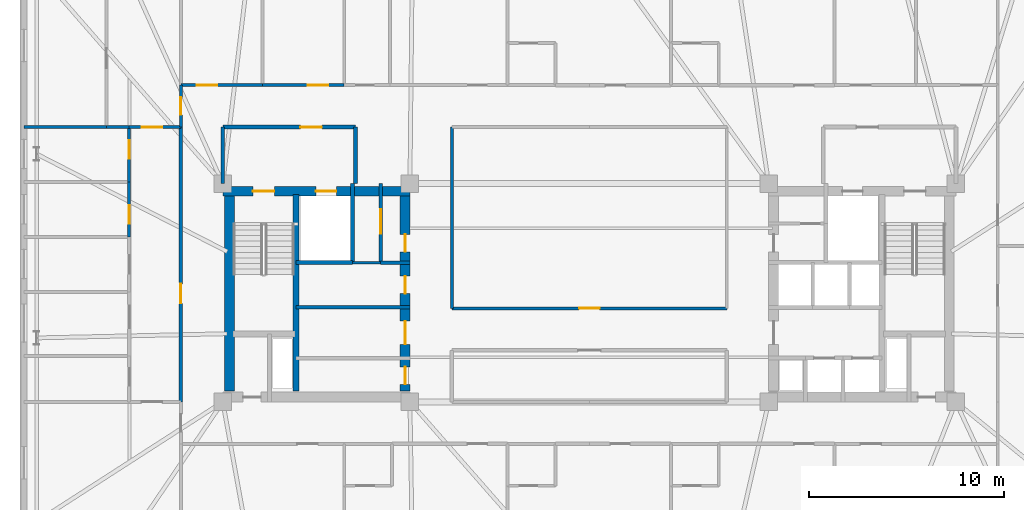
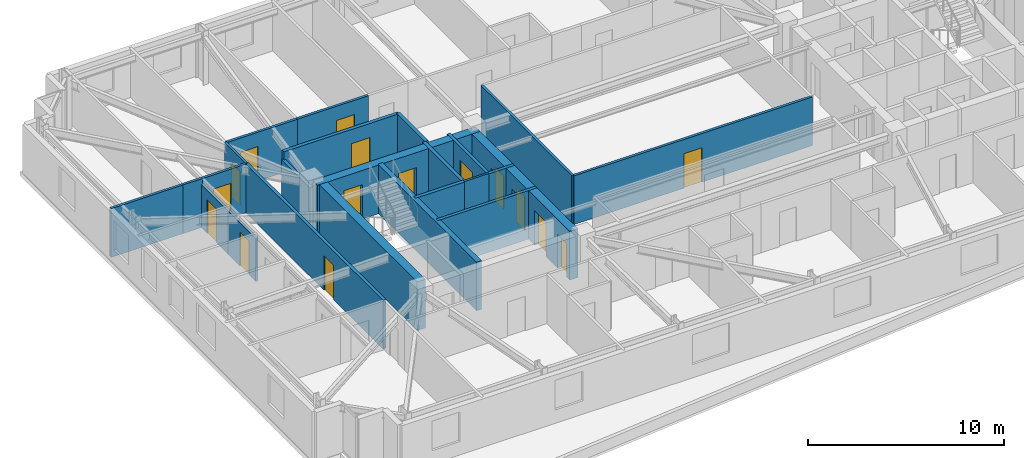
# One storey, part 12 of 19: 24 walls, 16 doors, 16 openings.
"""IFC4 building model written with IfcOpenShell, lengths in metres."""

from ifc_helpers import new_model, si_unit, direction, frame, frame_2d, origin, place, context, subcontext, project, spatial, rectangle, extrude, material, layer, layer_set, type_object, element, fill, save


model = new_model("IFC4")

# Units and contexts
model_context = context("Model", 3, precision=1e-05, world=origin(), true_north=direction((0.0, 1.0)))
body_context = subcontext(model_context, "Body", "Model", "MODEL_VIEW")
ifc_project = project(units=[si_unit("LENGTHUNIT", "METRE"), si_unit("AREAUNIT", "SQUARE_METRE"), si_unit("VOLUMEUNIT", "CUBIC_METRE"), si_unit("PLANEANGLEUNIT", "RADIAN"), si_unit("MASSUNIT", "GRAM", prefix="KILO")], contexts=[model_context])

# Site, building, storey
site_placement = place(None, origin())
site = spatial("IfcSite", under=ifc_project, at=site_placement, CompositionType="ELEMENT")
building_placement = place(site_placement, origin())
building = spatial("IfcBuilding", under=site, at=building_placement, Name="Qobustan Lattice House", CompositionType="ELEMENT")
storey_placement = place(building_placement, frame((0.0, 0.0, 131.0)))
storey = spatial("IfcBuildingStorey", under=building, at=storey_placement, Name="L36", CompositionType="ELEMENT", Elevation=131.0)

# Wall, openings, doors
ifc_material_1 = material(Name="Concrete C50/60", Category="concrete")
ifc_layer_1 = layer(ifc_material_1, 0.5)
ifc_layer_set_1 = layer_set([ifc_layer_1], Name="Concrete C50/60")
wall_type_1 = type_object("IfcWallType", Name="WAL-CORE-500", PredefinedType="SHEAR", material=ifc_layer_set_1)
wall_1_placement = place(storey_placement, frame((-18.800048828125, 5.2099609375, 0.0), z_axis=(0.0, 0.0, 1.0), x_axis=(1.0, 0.0, 0.0)))
wall_1 = element("IfcWall", 1, at=wall_1_placement, inside=storey, type_object=wall_type_1, Name="L36 split-core shear wall CW-N", PredefinedType="SHEAR", context=body_context, shape_type="SweptSolid", body=[
    extrude(rectangle(XDim=9.60009765625, YDim=0.5, at=frame_2d((4.800048828125, 0.0))), origin(), (0.0, 0.0, 1.0), 3.0400390625),
])
opening_1_placement = place(wall_1_placement, frame((1.550048828125, 0.0, 0.0)))
opening_1 = element("IfcOpeningElement", 2, at=opening_1_placement, cuts=wall_1, Name="Opening SD-01", PredefinedType="OPENING", context=body_context, shape_type="SweptSolid", body=[
    extrude(rectangle(XDim=1.10009765625, YDim=2.14990234375, at=frame_2d((0.550048828125, 1.074951171875))), frame((0.0, 0.260009765625, 0.0), z_axis=(0.0, -1.0, 0.0), x_axis=(1.0, 0.0, 0.0)), (0.0, 0.0, 1.0), 0.52001953125),
])
opening_2_placement = place(wall_1_placement, frame((4.77490234375, 0.0, 0.0)))
opening_2 = element("IfcOpeningElement", 3, at=opening_2_placement, cuts=wall_1, Name="Opening LD-01", PredefinedType="OPENING", context=body_context, shape_type="SweptSolid", body=[
    extrude(rectangle(XDim=1.050048828125, YDim=2.10009765625, at=frame_2d((0.52490234375, 1.050048828125))), frame((0.0, 0.260009765625, 0.0), z_axis=(0.0, -1.0, 0.0), x_axis=(1.0, 0.0, 0.0)), (0.0, 0.0, 1.0), 0.52001953125),
])
ifc_material_2 = material(Name="Persian walnut timber and steel frame door", Category="steel")
door_type_1 = type_object("IfcDoorType", Name="DOR-LIFT-LD-1050x2100", OperationType="NOTDEFINED", PredefinedType="DOOR", material=ifc_material_2)
door_1_placement = place(opening_2_placement, origin())
door_1 = element("IfcDoor", 4, at=door_1_placement, inside=storey, type_object=door_type_1, Name="L36 firefighting lift FF-W landing door", OperationType="DOUBLE_DOOR_SLIDING", OverallHeight=2.10009765625, OverallWidth=1.050048828125, PredefinedType="DOOR", context=body_context, shape_type="SweptSolid", body=[
    extrude(rectangle(XDim=1.050048828125, YDim=2.10009765625, at=frame_2d((0.52490234375, 1.050048828125))), frame((0.0, 0.02490234375, 0.0), z_axis=(0.0, -1.0, 0.0), x_axis=(1.0, 0.0, 0.0)), (0.0, 0.0, 1.0), 0.050048828125),
])
fill(opening_2, door_1)
ifc_material_3 = material(Name="Persian walnut timber and steel frame door", Category="steel")
door_type_2 = type_object("IfcDoorType", Name="DOR-STAIR-FD-1100x2150", OperationType="NOTDEFINED", PredefinedType="DOOR", material=ifc_material_3)
door_2_placement = place(opening_1_placement, origin())
door_2 = element("IfcDoor", 5, at=door_2_placement, inside=storey, type_object=door_type_2, Name="L36 exit stair ST-W1 fire door", OperationType="SINGLE_SWING_RIGHT", OverallHeight=2.14990234375, OverallWidth=1.10009765625, PredefinedType="DOOR", context=body_context, shape_type="SweptSolid", body=[
    extrude(rectangle(XDim=1.10009765625, YDim=2.14990234375, at=frame_2d((0.550048828125, 1.074951171875))), frame((0.0, 0.02490234375, 0.0), z_axis=(0.0, -1.0, 0.0), x_axis=(1.0, 0.0, 0.0)), (0.0, 0.0, 1.0), 0.050048828125),
])
fill(opening_1, door_2)

# Wall
wall_2_placement = place(storey_placement, frame((-18.4599609375, -5.050048828125, 0.0), z_axis=(0.0, 0.0, 1.0), x_axis=(0.0, 1.0, 0.0)))
element("IfcWall", 6, at=wall_2_placement, inside=storey, type_object=wall_type_1, Name="L36 split-core shear wall CW-W", PredefinedType="SHEAR", context=body_context, shape_type="SweptSolid", body=[
    extrude(rectangle(XDim=10.10009765625, YDim=0.5, at=frame_2d((5.050048828125, 0.0))), origin(), (0.0, 0.0, 1.0), 3.0400390625),
])

# Wall, openings, doors
wall_3_placement = place(storey_placement, frame((-9.449951171875, -5.050048828125, 0.0), z_axis=(0.0, 0.0, 1.0), x_axis=(0.0, 1.0, 0.0)))
wall_3 = element("IfcWall", 7, at=wall_3_placement, inside=storey, type_object=wall_type_1, Name="L36 split-core shear wall CW-E", PredefinedType="SHEAR", context=body_context, shape_type="SweptSolid", body=[
    extrude(rectangle(XDim=10.10009765625, YDim=0.5, at=frame_2d((5.050048828125, 0.0))), origin(), (0.0, 0.0, 1.0), 3.0400390625),
])
opening_3_placement = place(wall_3_placement, frame((7.14990234375, 0.0, 0.0)))
opening_3 = element("IfcOpeningElement", 8, at=opening_3_placement, cuts=wall_3, Name="Opening RD-01", PredefinedType="OPENING", context=body_context, shape_type="SweptSolid", body=[
    extrude(rectangle(XDim=0.89990234375, YDim=2.10009765625, at=frame_2d((0.449951171875, 1.050048828125))), frame((0.0, 0.260009765625, 0.0), z_axis=(0.0, -1.0, 0.0), x_axis=(1.0, 0.0, 0.0)), (0.0, 0.0, 1.0), 0.52001953125),
])
opening_4_placement = place(wall_3_placement, frame((2.39990234375, 0.0, 0.0)))
opening_4 = element("IfcOpeningElement", 9, at=opening_4_placement, cuts=wall_3, Name="Opening FD-01", PredefinedType="OPENING", context=body_context, shape_type="SweptSolid", body=[
    extrude(rectangle(XDim=1.199951171875, YDim=2.14990234375, at=frame_2d((0.60009765625, 1.074951171875))), frame((0.0, 0.260009765625, 0.0), z_axis=(0.0, -1.0, 0.0), x_axis=(1.0, 0.0, 0.0)), (0.0, 0.0, 1.0), 0.52001953125),
])
opening_5_placement = place(wall_3_placement, frame((0.35009765625, 0.0, 0.0)))
opening_5 = element("IfcOpeningElement", 10, at=opening_5_placement, cuts=wall_3, Name="Opening RD-01", PredefinedType="OPENING", context=body_context, shape_type="SweptSolid", body=[
    extrude(rectangle(XDim=0.89990234375, YDim=2.10009765625, at=frame_2d((0.449951171875, 1.050048828125))), frame((0.0, 0.260009765625, 0.0), z_axis=(0.0, -1.0, 0.0), x_axis=(1.0, 0.0, 0.0)), (0.0, 0.0, 1.0), 0.52001953125),
])
opening_6_placement = place(wall_3_placement, frame((5.0, 0.0, 0.0)))
opening_6 = element("IfcOpeningElement", 11, at=opening_6_placement, cuts=wall_3, Name="Opening RD-01", PredefinedType="OPENING", context=body_context, shape_type="SweptSolid", body=[
    extrude(rectangle(XDim=0.89990234375, YDim=2.10009765625, at=frame_2d((0.449951171875, 1.050048828125))), frame((0.0, 0.260009765625, 0.0), z_axis=(0.0, -1.0, 0.0), x_axis=(1.0, 0.0, 0.0)), (0.0, 0.0, 1.0), 0.52001953125),
])
ifc_material_4 = material(Name="Persian walnut timber and steel frame door", Category="steel")
door_type_3 = type_object("IfcDoorType", Name="DOR-LOBBY-FD-1200x2150", OperationType="NOTDEFINED", PredefinedType="DOOR", material=ifc_material_4)
door_3_placement = place(opening_4_placement, origin())
door_3 = element("IfcDoor", 12, at=door_3_placement, inside=storey, type_object=door_type_3, Name="L36 West core foyer fire door", OperationType="SINGLE_SWING_LEFT", OverallHeight=2.14990234375, OverallWidth=1.199951171875, PredefinedType="DOOR", context=body_context, shape_type="SweptSolid", body=[
    extrude(rectangle(XDim=1.199951171875, YDim=2.14990234375, at=frame_2d((0.60009765625, 1.074951171875))), frame((0.0, 0.02490234375, 0.0), z_axis=(0.0, -1.0, 0.0), x_axis=(1.0, 0.0, 0.0)), (0.0, 0.0, 1.0), 0.050048828125),
])
fill(opening_4, door_3)
ifc_material_5 = material(Name="Persian walnut timber and steel frame door", Category="steel")
door_type_4 = type_object("IfcDoorType", Name="DOR-RISER-FD-900x2100", OperationType="NOTDEFINED", PredefinedType="DOOR", material=ifc_material_5)
door_4_placement = place(opening_3_placement, origin())
door_4 = element("IfcDoor", 13, at=door_4_placement, inside=storey, type_object=door_type_4, Name="L36 Data comms closet fire door", OperationType="SINGLE_SWING_RIGHT", OverallHeight=2.10009765625, OverallWidth=0.89990234375, PredefinedType="DOOR", context=body_context, shape_type="SweptSolid", body=[
    extrude(rectangle(XDim=0.89990234375, YDim=2.10009765625, at=frame_2d((0.449951171875, 1.050048828125))), frame((0.0, 0.02490234375, 0.0), z_axis=(0.0, -1.0, 0.0), x_axis=(1.0, 0.0, 0.0)), (0.0, 0.0, 1.0), 0.050048828125),
])
fill(opening_3, door_4)
door_5_placement = place(opening_5_placement, origin())
door_5 = element("IfcDoor", 14, at=door_5_placement, inside=storey, type_object=door_type_4, Name="L36 Collaborative study lounge fire door", OperationType="SINGLE_SWING_RIGHT", OverallHeight=2.10009765625, OverallWidth=0.89990234375, PredefinedType="DOOR", context=body_context, shape_type="SweptSolid", body=[
    extrude(rectangle(XDim=0.89990234375, YDim=2.10009765625, at=frame_2d((0.449951171875, 1.050048828125))), frame((0.0, 0.02490234375, 0.0), z_axis=(0.0, -1.0, 0.0), x_axis=(1.0, 0.0, 0.0)), (0.0, 0.0, 1.0), 0.050048828125),
])
fill(opening_5, door_5)
door_6_placement = place(opening_6_placement, origin())
door_6 = element("IfcDoor", 15, at=door_6_placement, inside=storey, type_object=door_type_4, Name="L36 Focus booth pod fire door", OperationType="SINGLE_SWING_LEFT", OverallHeight=2.10009765625, OverallWidth=0.89990234375, PredefinedType="DOOR", context=body_context, shape_type="SweptSolid", body=[
    extrude(rectangle(XDim=0.89990234375, YDim=2.10009765625, at=frame_2d((0.449951171875, 1.050048828125))), frame((0.0, 0.02490234375, 0.0), z_axis=(0.0, -1.0, 0.0), x_axis=(1.0, 0.0, 0.0)), (0.0, 0.0, 1.0), 0.050048828125),
])
fill(opening_6, door_6)

# Wall
ifc_material_6 = material(Name="Concrete C50/60", Category="concrete")
ifc_layer_2 = layer(ifc_material_6, 0.280029296875)
ifc_layer_set_2 = layer_set([ifc_layer_2], Name="Concrete C50/60")
wall_type_2 = type_object("IfcWallType", Name="WAL-CORE-SPINE-280", PredefinedType="SHEAR", material=ifc_layer_set_2)
wall_4_placement = place(storey_placement, frame((-15.050048828125, -5.050048828125, 0.0), z_axis=(0.0, 0.0, 1.0), x_axis=(0.0, 1.0, 0.0)))
element("IfcWall", 16, at=wall_4_placement, inside=storey, type_object=wall_type_2, Name="L36 split-core shear wall CW-M", PredefinedType="SHEAR", context=body_context, shape_type="SweptSolid", body=[
    extrude(rectangle(XDim=10.10009765625, YDim=0.300048828125, at=frame_2d((5.050048828125, 0.0))), origin(), (0.0, 0.0, 1.0), 3.0400390625),
])

# Wall, opening, door
ifc_material_7 = material(Name="Gypsum fireboard acoustic partition", Category="gypsum")
ifc_layer_3 = layer(ifc_material_7, 0.179931640625)
ifc_layer_set_3 = layer_set([ifc_layer_3], Name="Gypsum fireboard acoustic partition")
wall_type_3 = type_object("IfcWallType", Name="WAL-FIRE-180", PredefinedType="PARTITIONING", material=ifc_layer_set_3)
wall_5_placement = place(storey_placement, frame((-10.699951171875, 5.60009765625, 0.0), z_axis=(0.0, 0.0, 1.0), x_axis=(0.0, -1.0, 0.0)))
wall_5 = element("IfcWall", 17, at=wall_5_placement, inside=storey, type_object=wall_type_3, Name="L36 interior partition 6", PredefinedType="PARTITIONING", context=body_context, shape_type="SweptSolid", body=[
    extrude(rectangle(XDim=4.050048828125, YDim=0.179931640625, at=frame_2d((2.02490234375, 0.0))), origin(), (0.0, 0.0, 1.0), 3.0400390625),
])
opening_7_placement = place(wall_5_placement, frame((1.324951171875, 0.0, 0.0)))
opening_7 = element("IfcOpeningElement", 18, at=opening_7_placement, cuts=wall_5, Name="Opening FD-03", PredefinedType="OPENING", context=body_context, shape_type="SweptSolid", body=[
    extrude(rectangle(XDim=1.25, YDim=2.199951171875, at=frame_2d((0.625, 1.10009765625))), frame((0.0, 0.099853515625, 0.0), z_axis=(0.0, -1.0, 0.0), x_axis=(1.0, 0.0, 0.0)), (0.0, 0.0, 1.0), 0.199951171875),
])
ifc_material_8 = material(Name="Persian walnut timber and steel frame door", Category="steel")
door_type_5 = type_object("IfcDoorType", Name="DOR-PLANT-1250x2200", OperationType="NOTDEFINED", PredefinedType="DOOR", material=ifc_material_8)
door_7_placement = place(opening_7_placement, origin())
door_7 = element("IfcDoor", 19, at=door_7_placement, inside=storey, type_object=door_type_5, Name="L36 Data comms closet to Linen store door", OperationType="SINGLE_SWING_LEFT", OverallHeight=2.199951171875, OverallWidth=1.25, PredefinedType="DOOR", context=body_context, shape_type="SweptSolid", body=[
    extrude(rectangle(XDim=1.25, YDim=2.199951171875, at=frame_2d((0.625, 1.10009765625))), frame((0.0, 0.02490234375, 0.0), z_axis=(0.0, -1.0, 0.0), x_axis=(1.0, 0.0, 0.0)), (0.0, 0.0, 1.0), 0.050048828125),
])
fill(opening_7, door_7)

# Walls
wall_6_placement = place(storey_placement, frame((-10.699951171875, 1.550048828125, 0.0), z_axis=(0.0, 0.0, 1.0), x_axis=(1.0, 0.0, 0.0)))
element("IfcWall", 20, at=wall_6_placement, inside=storey, type_object=wall_type_3, Name="L36 interior partition 7", PredefinedType="PARTITIONING", context=body_context, shape_type="SweptSolid", body=[
    extrude(rectangle(XDim=1.5, YDim=0.179931640625, at=frame_2d((0.75, 0.0))), origin(), (0.0, 0.0, 1.0), 3.0400390625),
])
wall_7_placement = place(storey_placement, frame((-9.199951171875, -0.75, 0.0), z_axis=(0.0, 0.0, 1.0), x_axis=(-1.0, 0.0, 0.0)))
element("IfcWall", 21, at=wall_7_placement, inside=storey, type_object=wall_type_3, Name="L36 interior partition 11", PredefinedType="PARTITIONING", context=body_context, shape_type="SweptSolid", body=[
    extrude(rectangle(XDim=5.85009765625, YDim=0.179931640625, at=frame_2d((2.925048828125, 0.0))), origin(), (0.0, 0.0, 1.0), 3.0400390625),
])

# Wall, opening, door
wall_8_placement = place(storey_placement, frame((-20.949951171875, -5.60009765625, 0.0), z_axis=(0.0, 0.0, 1.0), x_axis=(0.0, 1.0, 0.0)))
wall_8 = element("IfcWall", 22, at=wall_8_placement, inside=storey, type_object=wall_type_3, Name="L36 interior partition 62", PredefinedType="PARTITIONING", context=body_context, shape_type="SweptSolid", body=[
    extrude(rectangle(XDim=14.10009765625, YDim=0.179931640625, at=frame_2d((7.050048828125, 0.0))), origin(), (0.0, 0.0, 1.0), 3.0400390625),
])
opening_8_placement = place(wall_8_placement, frame((5.0576171875, 0.0, 0.0)))
opening_8 = element("IfcOpeningElement", 23, at=opening_8_placement, cuts=wall_8, Name="Opening FD-02", PredefinedType="OPENING", context=body_context, shape_type="SweptSolid", body=[
    extrude(rectangle(XDim=1.0, YDim=2.14990234375, at=frame_2d((0.5, 1.074951171875))), frame((0.0, 0.099853515625, 0.0), z_axis=(0.0, -1.0, 0.0), x_axis=(1.0, 0.0, 0.0)), (0.0, 0.0, 1.0), 0.199951171875),
])
ifc_material_9 = material(Name="Persian walnut timber and steel frame door", Category="steel")
door_type_6 = type_object("IfcDoorType", Name="DOR-UNIT-FD-1000x2150", OperationType="NOTDEFINED", PredefinedType="DOOR", material=ifc_material_9)
door_8_placement = place(opening_8_placement, origin())
door_8 = element("IfcDoor", 24, at=door_8_placement, inside=storey, type_object=door_type_6, Name="L36 West wing spine gallery to Residence entrance hall L36W door", OperationType="SINGLE_SWING_LEFT", OverallHeight=2.14990234375, OverallWidth=1.0, PredefinedType="DOOR", context=body_context, shape_type="SweptSolid", body=[
    extrude(rectangle(XDim=1.0, YDim=2.14990234375, at=frame_2d((0.5, 1.074951171875))), frame((0.0, 0.02490234375, 0.0), z_axis=(0.0, -1.0, 0.0), x_axis=(1.0, 0.0, 0.0)), (0.0, 0.0, 1.0), 0.050048828125),
])
fill(opening_8, door_8)

# Wall
ifc_material_10 = material(Name="Lightweight acoustic stud partition", Category="gypsum")
ifc_layer_4 = layer(ifc_material_10, 0.125)
ifc_layer_set_4 = layer_set([ifc_layer_4], Name="Lightweight acoustic stud partition")
wall_type_4 = type_object("IfcWallType", Name="WAL-PART-125", PredefinedType="PARTITIONING", material=ifc_layer_set_4)
wall_9_placement = place(storey_placement, frame((-12.14990234375, 1.550048828125, 0.0), z_axis=(0.0, 0.0, 1.0), x_axis=(1.0, 0.0, 0.0)))
element("IfcWall", 25, at=wall_9_placement, inside=storey, type_object=wall_type_4, Name="L36 interior partition 9", PredefinedType="PARTITIONING", context=body_context, shape_type="SweptSolid", body=[
    extrude(rectangle(XDim=1.449951171875, YDim=0.125, at=frame_2d((0.72509765625, 0.0))), origin(), (0.0, 0.0, 1.0), 3.0400390625),
])

# Wall, opening, door
ifc_material_11 = material(Name="Acoustic twin-stud gypsum partition", Category="gypsum")
ifc_layer_5 = layer(ifc_material_11, 0.14990234375)
ifc_layer_set_5 = layer_set([ifc_layer_5], Name="Acoustic twin-stud gypsum partition")
wall_type_5 = type_object("IfcWallType", Name="WAL-PART-150", PredefinedType="PARTITIONING", material=ifc_layer_set_5)
wall_10_placement = place(storey_placement, frame((-20.949951171875, 8.5, 0.0), z_axis=(0.0, 0.0, 1.0), x_axis=(0.0, 1.0, 0.0)))
wall_10 = element("IfcWall", 26, at=wall_10_placement, inside=storey, type_object=wall_type_5, Name="L36 interior partition 34", PredefinedType="PARTITIONING", context=body_context, shape_type="SweptSolid", body=[
    extrude(rectangle(XDim=2.14990234375, YDim=0.14990234375, at=frame_2d((1.074951171875, 0.0))), origin(), (0.0, 0.0, 1.0), 3.0400390625),
])
opening_9_placement = place(wall_10_placement, frame((0.625, 0.0, 0.0)))
opening_9 = element("IfcOpeningElement", 27, at=opening_9_placement, cuts=wall_10, Name="Opening WD-01", PredefinedType="OPENING", context=body_context, shape_type="SweptSolid", body=[
    extrude(rectangle(XDim=0.89990234375, YDim=2.10009765625, at=frame_2d((0.449951171875, 1.050048828125))), frame((0.0, 0.0849609375, 0.0), z_axis=(0.0, -1.0, 0.0), x_axis=(1.0, 0.0, 0.0)), (0.0, 0.0, 1.0), 0.169921875),
])
ifc_material_12 = material(Name="Persian walnut timber and steel frame door", Category="steel")
door_type_7 = type_object("IfcDoorType", Name="DOR-WET-900x2100", OperationType="NOTDEFINED", PredefinedType="DOOR", material=ifc_material_12)
door_9_placement = place(opening_9_placement, origin())
door_9 = element("IfcDoor", 28, at=door_9_placement, inside=storey, type_object=door_type_7, Name="L36 North-west floor corridor to Reading seminar room L36WN door", OperationType="SINGLE_SWING_RIGHT", OverallHeight=2.10009765625, OverallWidth=0.89990234375, PredefinedType="DOOR", context=body_context, shape_type="SweptSolid", body=[
    extrude(rectangle(XDim=0.89990234375, YDim=2.10009765625, at=frame_2d((0.449951171875, 1.050048828125))), frame((0.0, 0.02490234375, 0.0), z_axis=(0.0, -1.0, 0.0), x_axis=(1.0, 0.0, 0.0)), (0.0, 0.0, 1.0), 0.050048828125),
])
fill(opening_9, door_9)

wall_11_placement = place(storey_placement, frame((-20.949951171875, 10.64990234375, 0.0), z_axis=(0.0, 0.0, 1.0), x_axis=(1.0, 0.0, 0.0)))
wall_11 = element("IfcWall", 29, at=wall_11_placement, inside=storey, type_object=wall_type_5, Name="L36 interior partition 35", PredefinedType="PARTITIONING", context=body_context, shape_type="SweptSolid", body=[
    extrude(rectangle(XDim=4.18994140625, YDim=0.14990234375, at=frame_2d((2.094970703125, 0.0))), origin(), (0.0, 0.0, 1.0), 3.0400390625),
])
opening_10_placement = place(wall_11_placement, frame((0.827392578125, 0.0, 0.0)))
opening_10 = element("IfcOpeningElement", 30, at=opening_10_placement, cuts=wall_11, Name="Opening ID-02", PredefinedType="OPENING", context=body_context, shape_type="SweptSolid", body=[
    extrude(rectangle(XDim=1.050048828125, YDim=2.14990234375, at=frame_2d((0.52490234375, 1.074951171875))), frame((0.0, 0.0849609375, 0.0), z_axis=(0.0, -1.0, 0.0), x_axis=(1.0, 0.0, 0.0)), (0.0, 0.0, 1.0), 0.169921875),
])
ifc_material_13 = material(Name="Persian walnut timber and steel frame door", Category="steel")
door_type_8 = type_object("IfcDoorType", Name="DOR-STUDY-1050x2150", OperationType="NOTDEFINED", PredefinedType="DOOR", material=ifc_material_13)
door_10_placement = place(opening_10_placement, origin())
door_10 = element("IfcDoor", 31, at=door_10_placement, inside=storey, type_object=door_type_8, Name="L36 North-west floor corridor to Focus study room N1A door", OperationType="SINGLE_SWING_LEFT", OverallHeight=2.14990234375, OverallWidth=1.050048828125, PredefinedType="DOOR", context=body_context, shape_type="SweptSolid", body=[
    extrude(rectangle(XDim=1.050048828125, YDim=2.14990234375, at=frame_2d((0.52490234375, 1.074951171875))), frame((0.0, 0.02490234375, 0.0), z_axis=(0.0, -1.0, 0.0), x_axis=(1.0, 0.0, 0.0)), (0.0, 0.0, 1.0), 0.050048828125),
])
fill(opening_10, door_10)

wall_12_placement = place(storey_placement, frame((-16.760009765625, 10.64990234375, 0.0), z_axis=(0.0, 0.0, 1.0), x_axis=(1.0, 0.0, 0.0)))
wall_12 = element("IfcWall", 32, at=wall_12_placement, inside=storey, type_object=wall_type_5, Name="L36 interior partition 36", PredefinedType="PARTITIONING", context=body_context, shape_type="SweptSolid", body=[
    extrude(rectangle(XDim=4.18994140625, YDim=0.14990234375, at=frame_2d((2.094970703125, 0.0))), origin(), (0.0, 0.0, 1.0), 3.0400390625),
])
opening_11_placement = place(wall_12_placement, frame((2.3125, 0.0, 0.0)))
opening_11 = element("IfcOpeningElement", 33, at=opening_11_placement, cuts=wall_12, Name="Opening ID-02", PredefinedType="OPENING", context=body_context, shape_type="SweptSolid", body=[
    extrude(rectangle(XDim=1.050048828125, YDim=2.14990234375, at=frame_2d((0.52490234375, 1.074951171875))), frame((0.0, 0.0849609375, 0.0), z_axis=(0.0, -1.0, 0.0), x_axis=(1.0, 0.0, 0.0)), (0.0, 0.0, 1.0), 0.169921875),
])
door_11_placement = place(opening_11_placement, origin())
door_11 = element("IfcDoor", 34, at=door_11_placement, inside=storey, type_object=door_type_8, Name="L36 North-west floor corridor to Focus study room N1B door", OperationType="SINGLE_SWING_RIGHT", OverallHeight=2.14990234375, OverallWidth=1.050048828125, PredefinedType="DOOR", context=body_context, shape_type="SweptSolid", body=[
    extrude(rectangle(XDim=1.050048828125, YDim=2.14990234375, at=frame_2d((0.52490234375, 1.074951171875))), frame((0.0, 0.02490234375, 0.0), z_axis=(0.0, -1.0, 0.0), x_axis=(1.0, 0.0, 0.0)), (0.0, 0.0, 1.0), 0.050048828125),
])
fill(opening_11, door_11)

wall_13_placement = place(storey_placement, frame((-7.050048828125, -0.800048828125, 0.0), z_axis=(0.0, 0.0, 1.0), x_axis=(1.0, 0.0, 0.0)))
wall_13 = element("IfcWall", 35, at=wall_13_placement, inside=storey, type_object=wall_type_5, Name="L36 interior partition 65", PredefinedType="PARTITIONING", context=body_context, shape_type="SweptSolid", body=[
    extrude(rectangle(XDim=14.10009765625, YDim=0.14990234375, at=frame_2d((7.050048828125, 0.0))), origin(), (0.0, 0.0, 1.0), 3.0400390625),
])
opening_12_placement = place(wall_13_placement, frame((6.52490234375, 0.0, 0.0)))
opening_12 = element("IfcOpeningElement", 36, at=opening_12_placement, cuts=wall_13, Name="Opening ID-02", PredefinedType="OPENING", context=body_context, shape_type="SweptSolid", body=[
    extrude(rectangle(XDim=1.050048828125, YDim=2.14990234375, at=frame_2d((0.52490234375, 1.074951171875))), frame((0.0, 0.0849609375, 0.0), z_axis=(0.0, -1.0, 0.0), x_axis=(1.0, 0.0, 0.0)), (0.0, 0.0, 1.0), 0.169921875),
])
door_12_placement = place(opening_12_placement, origin())
door_12 = element("IfcDoor", 37, at=door_12_placement, inside=storey, type_object=door_type_8, Name="L36 Central spine corridor to Central study commons door", OperationType="SINGLE_SWING_RIGHT", OverallHeight=2.14990234375, OverallWidth=1.050048828125, PredefinedType="DOOR", context=body_context, shape_type="SweptSolid", body=[
    extrude(rectangle(XDim=1.050048828125, YDim=2.14990234375, at=frame_2d((0.52490234375, 1.074951171875))), frame((0.0, 0.02490234375, 0.0), z_axis=(0.0, -1.0, 0.0), x_axis=(1.0, 0.0, 0.0)), (0.0, 0.0, 1.0), 0.050048828125),
])
fill(opening_12, door_12)

# Wall
wall_14_placement = place(storey_placement, frame((-7.050048828125, 8.5, 0.0), z_axis=(0.0, 0.0, 1.0), x_axis=(0.0, -1.0, 0.0)))
element("IfcWall", 38, at=wall_14_placement, inside=storey, type_object=wall_type_5, Name="L36 interior partition 67", PredefinedType="PARTITIONING", context=body_context, shape_type="SweptSolid", body=[
    extrude(rectangle(XDim=9.300048828125, YDim=0.14990234375, at=frame_2d((4.64990234375, 0.0))), origin(), (0.0, 0.0, 1.0), 3.0400390625),
])

# Wall, opening, door
wall_15_placement = place(storey_placement, frame((-23.60009765625, 8.5, 0.0), z_axis=(0.0, 0.0, 1.0), x_axis=(1.0, 0.0, 0.0)))
wall_15 = element("IfcWall", 39, at=wall_15_placement, inside=storey, type_object=wall_type_5, Name="L36 interior partition 71", PredefinedType="PARTITIONING", context=body_context, shape_type="SweptSolid", body=[
    extrude(rectangle(XDim=2.650146484375, YDim=0.14990234375, at=frame_2d((1.3251953125, 0.0))), origin(), (0.0, 0.0, 1.0), 3.0400390625),
])
opening_13_placement = place(wall_15_placement, frame((0.635009765625, 0.0, 0.0)))
opening_13 = element("IfcOpeningElement", 40, at=opening_13_placement, cuts=wall_15, Name="Opening ID-02", PredefinedType="OPENING", context=body_context, shape_type="SweptSolid", body=[
    extrude(rectangle(XDim=1.050048828125, YDim=2.14990234375, at=frame_2d((0.52490234375, 1.074951171875))), frame((0.0, 0.0849609375, 0.0), z_axis=(0.0, -1.0, 0.0), x_axis=(1.0, 0.0, 0.0)), (0.0, 0.0, 1.0), 0.169921875),
])
door_13_placement = place(opening_13_placement, origin())
door_13 = element("IfcDoor", 41, at=door_13_placement, inside=storey, type_object=door_type_8, Name="L36 Residence entrance hall L36W to Reading seminar room L36WN door", OperationType="SINGLE_SWING_RIGHT", OverallHeight=2.14990234375, OverallWidth=1.050048828125, PredefinedType="DOOR", context=body_context, shape_type="SweptSolid", body=[
    extrude(rectangle(XDim=1.050048828125, YDim=2.14990234375, at=frame_2d((0.52490234375, 1.074951171875))), frame((0.0, 0.02490234375, 0.0), z_axis=(0.0, -1.0, 0.0), x_axis=(1.0, 0.0, 0.0)), (0.0, 0.0, 1.0), 0.050048828125),
])
fill(opening_13, door_13)

wall_16_placement = place(storey_placement, frame((-23.60009765625, 2.860107421875, 0.0), z_axis=(0.0, 0.0, 1.0), x_axis=(0.0, 1.0, 0.0)))
wall_16 = element("IfcWall", 42, at=wall_16_placement, inside=storey, type_object=wall_type_5, Name="L36 interior partition 76", PredefinedType="PARTITIONING", context=body_context, shape_type="SweptSolid", body=[
    extrude(rectangle(XDim=2.81982421875, YDim=0.14990234375, at=frame_2d((1.409912109375, 0.0))), origin(), (0.0, 0.0, 1.0), 2.695068359375),
])
opening_14_placement = place(wall_16_placement, frame((0.668701171875, 0.0, 0.0)))
opening_14 = element("IfcOpeningElement", 43, at=opening_14_placement, cuts=wall_16, Name="Opening ID-01", PredefinedType="OPENING", context=body_context, shape_type="SweptSolid", body=[
    extrude(rectangle(XDim=0.949951171875, YDim=2.10009765625, at=frame_2d((0.47509765625, 1.050048828125))), frame((0.0, 0.0849609375, 0.0), z_axis=(0.0, -1.0, 0.0), x_axis=(1.0, 0.0, 0.0)), (0.0, 0.0, 1.0), 0.169921875),
])
ifc_material_14 = material(Name="Persian walnut timber and steel frame door", Category="steel")
door_type_9 = type_object("IfcDoorType", Name="DOR-ROOM-950x2100", OperationType="NOTDEFINED", PredefinedType="DOOR", material=ifc_material_14)
door_14_placement = place(opening_14_placement, origin())
door_14 = element("IfcDoor", 44, at=door_14_placement, inside=storey, type_object=door_type_9, Name="L36 Residence entrance hall L36W to Cluster bedroom L36W2 door", OperationType="SINGLE_SWING_LEFT", OverallHeight=2.10009765625, OverallWidth=0.949951171875, PredefinedType="DOOR", context=body_context, shape_type="SweptSolid", body=[
    extrude(rectangle(XDim=0.949951171875, YDim=2.10009765625, at=frame_2d((0.47509765625, 1.050048828125))), frame((0.0, 0.02490234375, 0.0), z_axis=(0.0, -1.0, 0.0), x_axis=(1.0, 0.0, 0.0)), (0.0, 0.0, 1.0), 0.050048828125),
])
fill(opening_14, door_14)

wall_17_placement = place(storey_placement, frame((-23.60009765625, 5.679931640625, 0.0), z_axis=(0.0, 0.0, 1.0), x_axis=(0.0, 1.0, 0.0)))
wall_17 = element("IfcWall", 45, at=wall_17_placement, inside=storey, type_object=wall_type_5, Name="L36 interior partition 77", PredefinedType="PARTITIONING", context=body_context, shape_type="SweptSolid", body=[
    extrude(rectangle(XDim=2.820068359375, YDim=0.14990234375, at=frame_2d((1.41015625, 0.0))), origin(), (0.0, 0.0, 1.0), 2.695068359375),
])
opening_15_placement = place(wall_17_placement, frame((1.201171875, 0.0, 0.0)))
opening_15 = element("IfcOpeningElement", 46, at=opening_15_placement, cuts=wall_17, Name="Opening ID-01", PredefinedType="OPENING", context=body_context, shape_type="SweptSolid", body=[
    extrude(rectangle(XDim=0.949951171875, YDim=2.10009765625, at=frame_2d((0.47509765625, 1.050048828125))), frame((0.0, 0.0849609375, 0.0), z_axis=(0.0, -1.0, 0.0), x_axis=(1.0, 0.0, 0.0)), (0.0, 0.0, 1.0), 0.169921875),
])
door_15_placement = place(opening_15_placement, origin())
door_15 = element("IfcDoor", 47, at=door_15_placement, inside=storey, type_object=door_type_9, Name="L36 Residence entrance hall L36W to Cluster bedroom L36W3 door", OperationType="SINGLE_SWING_RIGHT", OverallHeight=2.10009765625, OverallWidth=0.949951171875, PredefinedType="DOOR", context=body_context, shape_type="SweptSolid", body=[
    extrude(rectangle(XDim=0.949951171875, YDim=2.10009765625, at=frame_2d((0.47509765625, 1.050048828125))), frame((0.0, 0.02490234375, 0.0), z_axis=(0.0, -1.0, 0.0), x_axis=(1.0, 0.0, 0.0)), (0.0, 0.0, 1.0), 0.050048828125),
])
fill(opening_15, door_15)

# Walls
wall_18_placement = place(storey_placement, frame((-23.60009765625, 8.5, 0.0), z_axis=(0.0, 0.0, 1.0), x_axis=(-1.0, 0.0, 0.0)))
element("IfcWall", 48, at=wall_18_placement, inside=storey, type_object=wall_type_5, Name="L36 interior partition 79", PredefinedType="PARTITIONING", context=body_context, shape_type="SweptSolid", body=[
    extrude(rectangle(XDim=1.164794921875, YDim=0.14990234375, at=frame_2d((0.58251953125, 0.0))), origin(), (0.0, 0.0, 1.0), 3.0400390625),
])
wall_19_placement = place(storey_placement, frame((-24.764892578125, 8.5, 0.0), z_axis=(0.0, 0.0, 1.0), x_axis=(-1.0, 0.0, 0.0)))
element("IfcWall", 49, at=wall_19_placement, inside=storey, type_object=wall_type_5, Name="L36 interior partition 81", PredefinedType="PARTITIONING", context=body_context, shape_type="SweptSolid", body=[
    extrude(rectangle(XDim=4.235107421875, YDim=0.14990234375, at=frame_2d((2.11767578125, 0.0))), origin(), (0.0, 0.0, 1.0), 3.0400390625),
])

# Wall, opening, door
ifc_material_15 = material(Name="Two-hour gypsum fireboard acoustic partition", Category="gypsum")
ifc_layer_6 = layer(ifc_material_15, 0.199951171875)
ifc_layer_set_6 = layer_set([ifc_layer_6], Name="Two-hour gypsum fireboard acoustic partition")
wall_type_6 = type_object("IfcWallType", Name="WAL-PROT-200", PredefinedType="PARTITIONING", material=ifc_layer_set_6)
wall_20_placement = place(storey_placement, frame((-12.0, 8.5, 0.0), z_axis=(0.0, 0.0, 1.0), x_axis=(-1.0, 0.0, 0.0)))
wall_20 = element("IfcWall", 50, at=wall_20_placement, inside=storey, type_object=wall_type_6, Name="L36 interior partition 3", PredefinedType="PARTITIONING", context=body_context, shape_type="SweptSolid", body=[
    extrude(rectangle(XDim=6.800048828125, YDim=0.199951171875, at=frame_2d((3.39990234375, 0.0))), origin(), (0.0, 0.0, 1.0), 3.0400390625),
])
opening_16_placement = place(wall_20_placement, frame((1.715087890625, 0.0, 0.0)))
opening_16 = element("IfcOpeningElement", 51, at=opening_16_placement, cuts=wall_20, Name="Opening SD-01", PredefinedType="OPENING", context=body_context, shape_type="SweptSolid", body=[
    extrude(rectangle(XDim=1.10009765625, YDim=2.14990234375, at=frame_2d((0.550048828125, 1.074951171875))), frame((0.0, 0.10986328125, 0.0), z_axis=(0.0, -1.0, 0.0), x_axis=(1.0, 0.0, 0.0)), (0.0, 0.0, 1.0), 0.219970703125),
])
door_16_placement = place(opening_16_placement, origin())
door_16 = element("IfcDoor", 52, at=door_16_placement, inside=storey, type_object=door_type_2, Name="L36 West firefighting lift lobby to North-west floor corridor door", OperationType="SINGLE_SWING_RIGHT", OverallHeight=2.14990234375, OverallWidth=1.10009765625, PredefinedType="DOOR", context=body_context, shape_type="SweptSolid", body=[
    extrude(rectangle(XDim=1.10009765625, YDim=2.14990234375, at=frame_2d((0.550048828125, 1.074951171875))), frame((0.0, 0.02490234375, 0.0), z_axis=(0.0, -1.0, 0.0), x_axis=(1.0, 0.0, 0.0)), (0.0, 0.0, 1.0), 0.050048828125),
])
fill(opening_16, door_16)

# Walls
wall_21_placement = place(storey_placement, frame((-18.800048828125, 8.5, 0.0), z_axis=(0.0, 0.0, 1.0), x_axis=(0.0, -1.0, 0.0)))
element("IfcWall", 53, at=wall_21_placement, inside=storey, type_object=wall_type_6, Name="L36 interior partition 4", PredefinedType="PARTITIONING", context=body_context, shape_type="SweptSolid", body=[
    extrude(rectangle(XDim=2.89990234375, YDim=0.199951171875, at=frame_2d((1.449951171875, 0.0))), origin(), (0.0, 0.0, 1.0), 2.52490234375),
])
wall_22_placement = place(storey_placement, frame((-12.0, 5.60009765625, 0.0), z_axis=(0.0, 0.0, 1.0), x_axis=(0.0, 1.0, 0.0)))
element("IfcWall", 54, at=wall_22_placement, inside=storey, type_object=wall_type_6, Name="L36 interior partition 5", PredefinedType="PARTITIONING", context=body_context, shape_type="SweptSolid", body=[
    extrude(rectangle(XDim=2.89990234375, YDim=0.199951171875, at=frame_2d((1.449951171875, 0.0))), origin(), (0.0, 0.0, 1.0), 3.0400390625),
])
ifc_material_16 = material(Name="Concrete C40/50", Category="concrete")
ifc_layer_7 = layer(ifc_material_16, 0.199951171875)
ifc_layer_set_7 = layer_set([ifc_layer_7], Name="Concrete C40/50")
wall_type_7 = type_object("IfcWallType", Name="WAL-SHAFT-200", PredefinedType="PARTITIONING", material=ifc_layer_set_7)
wall_23_placement = place(storey_placement, frame((-12.14990234375, 1.550048828125, 0.0), z_axis=(0.0, 0.0, 1.0), x_axis=(0.0, 1.0, 0.0)))
element("IfcWall", 55, at=wall_23_placement, inside=storey, type_object=wall_type_7, Name="L36 interior partition 2", PredefinedType="PARTITIONING", context=body_context, shape_type="SweptSolid", body=[
    extrude(rectangle(XDim=4.050048828125, YDim=0.199951171875, at=frame_2d((2.02490234375, 0.0))), origin(), (0.0, 0.0, 1.0), 3.0400390625),
])
wall_24_placement = place(storey_placement, frame((-15.050048828125, 1.550048828125, 0.0), z_axis=(0.0, 0.0, 1.0), x_axis=(1.0, 0.0, 0.0)))
element("IfcWall", 56, at=wall_24_placement, inside=storey, type_object=wall_type_7, Name="L36 interior partition 117", PredefinedType="PARTITIONING", context=body_context, shape_type="SweptSolid", body=[
    extrude(rectangle(XDim=2.900146484375, YDim=0.199951171875, at=frame_2d((1.4501953125, 0.0))), origin(), (0.0, 0.0, 1.0), 3.0400390625),
])

save(model, "model.ifc")
